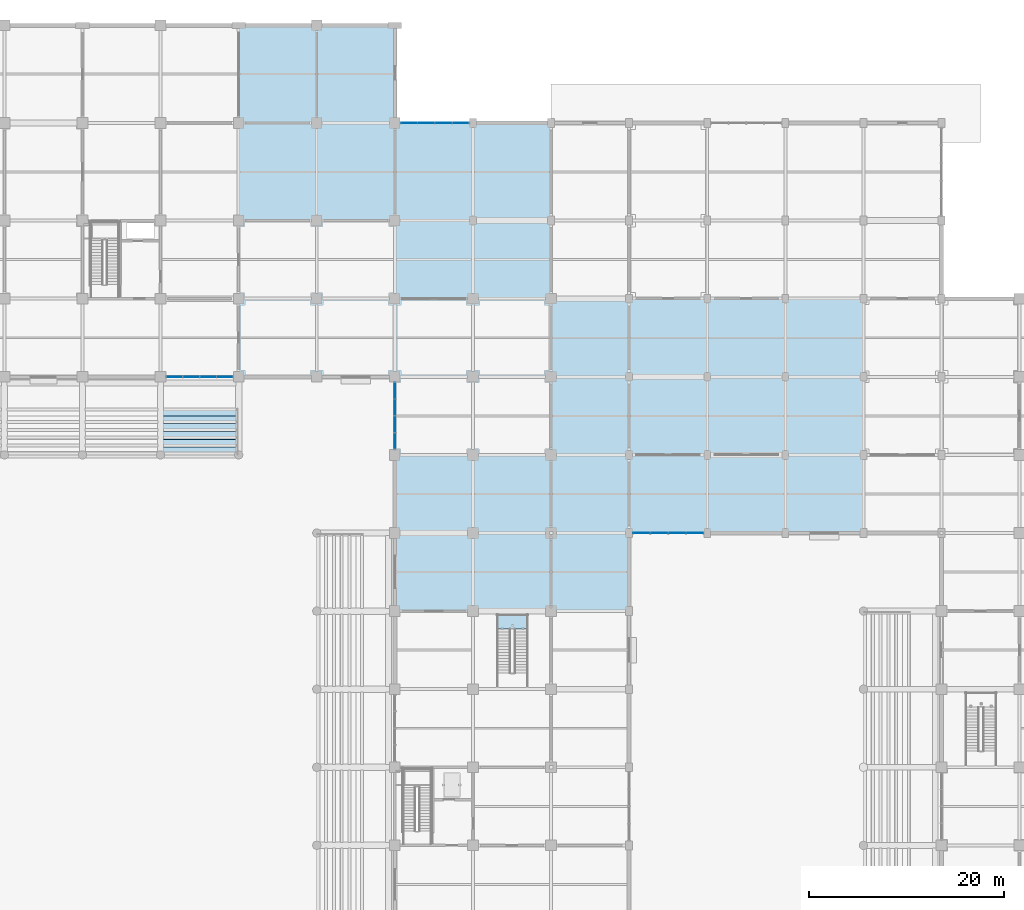
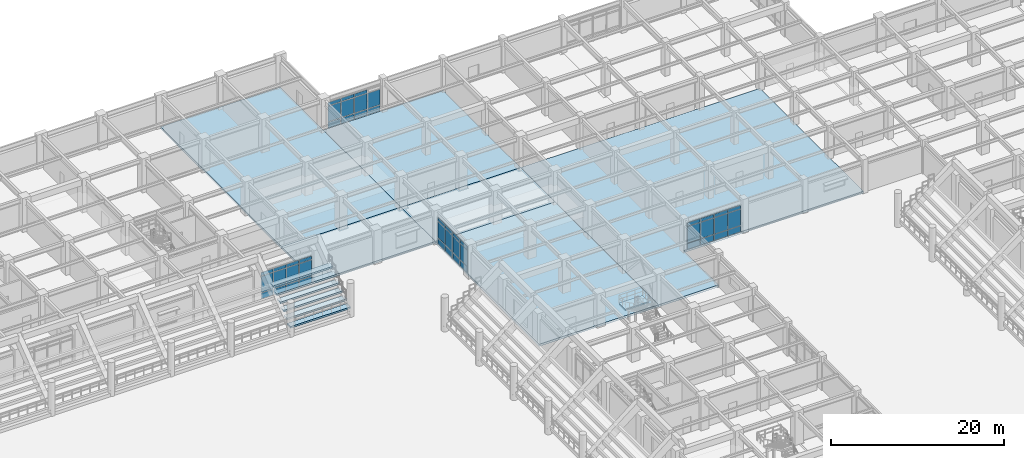
# One storey, part 70 of 125: 47 plates, 13 slabs, 5 elements without a shape of their own.
"""IFC4 building model written with IfcOpenShell, lengths in metres."""

from ifc_helpers import new_model, si_unit, direction, frame, origin, origin_2d, place, context, subcontext, project, spatial, polyline, rectangle, outline, extrude, material, layer, layer_set, type_object, element, aggregate, save


model = new_model("IFC4")

# Units and contexts
model_context = context("Model", 3, precision=1e-05, world=origin(), true_north=direction((0.0, 1.0)))
body_context = subcontext(model_context, "Body", "Model", "MODEL_VIEW")
ifc_project = project(units=[si_unit("LENGTHUNIT", "METRE"), si_unit("AREAUNIT", "SQUARE_METRE"), si_unit("VOLUMEUNIT", "CUBIC_METRE"), si_unit("PLANEANGLEUNIT", "RADIAN"), si_unit("MASSUNIT", "GRAM", prefix="KILO")], contexts=[model_context])

# Site, building, storey
site_placement = place(None, origin())
site = spatial("IfcSite", under=ifc_project, at=site_placement, CompositionType="ELEMENT")
building_placement = place(site_placement, origin())
building = spatial("IfcBuilding", under=site, at=building_placement, Name="Haebicheon Civic Stadium", CompositionType="ELEMENT")
storey_placement = place(building_placement, origin())
storey = spatial("IfcBuildingStorey", under=building, at=storey_placement, Name="L01", CompositionType="ELEMENT", Elevation=0.0)

# Curtain wall, plates
ifc_material_1 = material(Name="Anodised aluminium and laminated glass", Category="aluminium")
ifc_layer_1 = layer(ifc_material_1, 0.179931640625, Name="Anodised aluminium and laminated glass")
ifc_layer_set_1 = layer_set([ifc_layer_1], Name="Anodised aluminium and laminated glass")
curtain_wall_type_1 = type_object("IfcCurtainWallType", Name="CW-6900x3810", PredefinedType="NOTDEFINED", material=ifc_layer_set_1)
curtain_wall_1_placement = place(storey_placement, origin())
curtain_wall_1 = element("IfcCurtainWall", 1, at=curtain_wall_1_placement, inside=storey, type_object=curtain_wall_type_1, material=ifc_layer_set_1, Name="L01 unitised curtain wall 011", PredefinedType="NOTDEFINED")
ifc_material_2 = material(Name="Double low-e laminated glass", Category="glass")
ifc_layer_2 = layer(ifc_material_2, 0.028076171875, Name="Double low-e laminated glass")
ifc_layer_set_2 = layer_set([ifc_layer_2], Name="Double low-e laminated glass")
plate_type_1 = type_object("IfcPlateType", Name="CWP-GLZ-28", PredefinedType="CURTAIN_PANEL", material=ifc_layer_set_2)
plate_1_placement = place(storey_placement, frame((121.431884765625, 152.0, 0.93994140625), z_axis=(0.0, 0.0, 1.0), x_axis=(1.0, 0.0, 0.0)))
plate_1 = element("IfcPlate", 2, at=plate_1_placement, type_object=plate_type_1, material=ifc_layer_set_2, Name="CW-L01-011 vision panel 1.2", PredefinedType="CURTAIN_PANEL", context=body_context, shape_type="SweptSolid", body=[
    extrude(rectangle(XDim=1.60498046875, YDim=0.028076171875, at=origin_2d()), origin(), (0.0, 0.0, 1.0), 2.280029296875),
])
plate_2_placement = place(storey_placement, frame((123.137939453125, 152.0, 0.93994140625), z_axis=(0.0, 0.0, 1.0), x_axis=(1.0, 0.0, 0.0)))
plate_2 = element("IfcPlate", 3, at=plate_2_placement, type_object=plate_type_1, material=ifc_layer_set_2, Name="CW-L01-011 vision panel 2.2", PredefinedType="CURTAIN_PANEL", context=body_context, shape_type="SweptSolid", body=[
    extrude(rectangle(XDim=1.64501953125, YDim=0.028076171875, at=origin_2d()), origin(), (0.0, 0.0, 1.0), 2.280029296875),
])
plate_3_placement = place(storey_placement, frame((124.862060546875, 152.0, 0.93994140625), z_axis=(0.0, 0.0, 1.0), x_axis=(1.0, 0.0, 0.0)))
plate_3 = element("IfcPlate", 4, at=plate_3_placement, type_object=plate_type_1, material=ifc_layer_set_2, Name="CW-L01-011 vision panel 3.2", PredefinedType="CURTAIN_PANEL", context=body_context, shape_type="SweptSolid", body=[
    extrude(rectangle(XDim=1.64501953125, YDim=0.028076171875, at=origin_2d()), origin(), (0.0, 0.0, 1.0), 2.280029296875),
])
plate_4_placement = place(storey_placement, frame((126.568115234375, 152.0, 0.93994140625), z_axis=(0.0, 0.0, 1.0), x_axis=(1.0, 0.0, 0.0)))
plate_4 = element("IfcPlate", 5, at=plate_4_placement, type_object=plate_type_1, material=ifc_layer_set_2, Name="CW-L01-011 vision panel 4.2", PredefinedType="CURTAIN_PANEL", context=body_context, shape_type="SweptSolid", body=[
    extrude(rectangle(XDim=1.60498046875, YDim=0.028076171875, at=origin_2d()), origin(), (0.0, 0.0, 1.0), 2.280029296875),
])

curtain_wall_2_placement = place(storey_placement, origin())
curtain_wall_2 = element("IfcCurtainWall", 6, at=curtain_wall_2_placement, inside=storey, type_object=curtain_wall_type_1, material=ifc_layer_set_1, Name="L01 unitised curtain wall 016", PredefinedType="NOTDEFINED")
plate_5_placement = place(storey_placement, frame((144.0, 145.431884765625, 0.93994140625), z_axis=(0.0, 0.0, 1.0), x_axis=(0.0, 1.0, 0.0)))
plate_5 = element("IfcPlate", 7, at=plate_5_placement, type_object=plate_type_1, material=ifc_layer_set_2, Name="CW-L01-016 vision panel 1.2", PredefinedType="CURTAIN_PANEL", context=body_context, shape_type="SweptSolid", body=[
    extrude(rectangle(XDim=1.60498046875, YDim=0.028076171875, at=origin_2d()), origin(), (0.0, 0.0, 1.0), 2.280029296875),
])
plate_6_placement = place(storey_placement, frame((144.0, 147.137939453125, 0.93994140625), z_axis=(0.0, 0.0, 1.0), x_axis=(0.0, 1.0, 0.0)))
plate_6 = element("IfcPlate", 8, at=plate_6_placement, type_object=plate_type_1, material=ifc_layer_set_2, Name="CW-L01-016 vision panel 2.2", PredefinedType="CURTAIN_PANEL", context=body_context, shape_type="SweptSolid", body=[
    extrude(rectangle(XDim=1.64501953125, YDim=0.028076171875, at=origin_2d()), origin(), (0.0, 0.0, 1.0), 2.280029296875),
])
plate_7_placement = place(storey_placement, frame((144.0, 148.862060546875, 0.93994140625), z_axis=(0.0, 0.0, 1.0), x_axis=(0.0, 1.0, 0.0)))
plate_7 = element("IfcPlate", 9, at=plate_7_placement, type_object=plate_type_1, material=ifc_layer_set_2, Name="CW-L01-016 vision panel 3.2", PredefinedType="CURTAIN_PANEL", context=body_context, shape_type="SweptSolid", body=[
    extrude(rectangle(XDim=1.64501953125, YDim=0.028076171875, at=origin_2d()), origin(), (0.0, 0.0, 1.0), 2.280029296875),
])
plate_8_placement = place(storey_placement, frame((144.0, 150.568115234375, 0.93994140625), z_axis=(0.0, 0.0, 1.0), x_axis=(0.0, 1.0, 0.0)))
plate_8 = element("IfcPlate", 10, at=plate_8_placement, type_object=plate_type_1, material=ifc_layer_set_2, Name="CW-L01-016 vision panel 4.2", PredefinedType="CURTAIN_PANEL", context=body_context, shape_type="SweptSolid", body=[
    extrude(rectangle(XDim=1.60498046875, YDim=0.028076171875, at=origin_2d()), origin(), (0.0, 0.0, 1.0), 2.280029296875),
])

ifc_material_3 = material(Name="Anodised aluminium and laminated glass", Category="aluminium")
ifc_layer_3 = layer(ifc_material_3, 0.179931640625, Name="Anodised aluminium and laminated glass")
ifc_layer_set_3 = layer_set([ifc_layer_3], Name="Anodised aluminium and laminated glass")
curtain_wall_type_2 = type_object("IfcCurtainWallType", Name="CW-7100x3710", PredefinedType="NOTDEFINED", material=ifc_layer_set_3)
curtain_wall_3_placement = place(storey_placement, origin())
curtain_wall_3 = element("IfcCurtainWall", 11, at=curtain_wall_3_placement, inside=storey, type_object=curtain_wall_type_2, material=ifc_layer_set_3, Name="L01 unitised curtain wall 017", PredefinedType="NOTDEFINED")
plate_9_placement = place(storey_placement, frame((145.4580078125, 178.0, 0.93994140625), z_axis=(0.0, 0.0, 1.0), x_axis=(1.0, 0.0, 0.0)))
plate_9 = element("IfcPlate", 12, at=plate_9_placement, type_object=plate_type_1, material=ifc_layer_set_2, Name="CW-L01-017 vision panel 1.2", PredefinedType="CURTAIN_PANEL", context=body_context, shape_type="SweptSolid", body=[
    extrude(rectangle(XDim=1.655029296875, YDim=0.028076171875, at=origin_2d()), origin(), (0.0, 0.0, 1.0), 2.179931640625),
])
plate_10_placement = place(storey_placement, frame((147.2119140625, 178.0, 0.93994140625), z_axis=(0.0, 0.0, 1.0), x_axis=(1.0, 0.0, 0.0)))
plate_10 = element("IfcPlate", 13, at=plate_10_placement, type_object=plate_type_1, material=ifc_layer_set_2, Name="CW-L01-017 vision panel 2.2", PredefinedType="CURTAIN_PANEL", context=body_context, shape_type="SweptSolid", body=[
    extrude(rectangle(XDim=1.695068359375, YDim=0.028076171875, at=origin_2d()), origin(), (0.0, 0.0, 1.0), 2.179931640625),
])
plate_11_placement = place(storey_placement, frame((148.988037109375, 178.0, 0.93994140625), z_axis=(0.0, 0.0, 1.0), x_axis=(1.0, 0.0, 0.0)))
plate_11 = element("IfcPlate", 14, at=plate_11_placement, type_object=plate_type_1, material=ifc_layer_set_2, Name="CW-L01-017 vision panel 3.2", PredefinedType="CURTAIN_PANEL", context=body_context, shape_type="SweptSolid", body=[
    extrude(rectangle(XDim=1.695068359375, YDim=0.028076171875, at=origin_2d()), origin(), (0.0, 0.0, 1.0), 2.179931640625),
])
plate_12_placement = place(storey_placement, frame((150.741943359375, 178.0, 0.93994140625), z_axis=(0.0, 0.0, 1.0), x_axis=(1.0, 0.0, 0.0)))
plate_12 = element("IfcPlate", 15, at=plate_12_placement, type_object=plate_type_1, material=ifc_layer_set_2, Name="CW-L01-017 vision panel 4.2", PredefinedType="CURTAIN_PANEL", context=body_context, shape_type="SweptSolid", body=[
    extrude(rectangle(XDim=1.655029296875, YDim=0.028076171875, at=origin_2d()), origin(), (0.0, 0.0, 1.0), 2.179931640625),
])

ifc_material_4 = material(Name="Anodised aluminium and laminated glass", Category="aluminium")
ifc_layer_4 = layer(ifc_material_4, 0.179931640625, Name="Anodised aluminium and laminated glass")
ifc_layer_set_4 = layer_set([ifc_layer_4], Name="Anodised aluminium and laminated glass")
curtain_wall_type_3 = type_object("IfcCurtainWallType", Name="CW-7300x3810", PredefinedType="NOTDEFINED", material=ifc_layer_set_4)
curtain_wall_4_placement = place(storey_placement, origin())
curtain_wall_4 = element("IfcCurtainWall", 16, at=curtain_wall_4_placement, inside=storey, type_object=curtain_wall_type_3, material=ifc_layer_set_4, Name="L01 unitised curtain wall 020", PredefinedType="NOTDEFINED")
plate_13_placement = place(storey_placement, frame((169.281982421875, 136.0, 0.93994140625), z_axis=(0.0, 0.0, 1.0), x_axis=(1.0, 0.0, 0.0)))
plate_13 = element("IfcPlate", 17, at=plate_13_placement, type_object=plate_type_1, material=ifc_layer_set_2, Name="CW-L01-020 vision panel 1.2", PredefinedType="CURTAIN_PANEL", context=body_context, shape_type="SweptSolid", body=[
    extrude(rectangle(XDim=1.705078125, YDim=0.028076171875, at=origin_2d()), origin(), (0.0, 0.0, 1.0), 2.280029296875),
])
plate_14_placement = place(storey_placement, frame((171.087890625, 136.0, 0.93994140625), z_axis=(0.0, 0.0, 1.0), x_axis=(1.0, 0.0, 0.0)))
plate_14 = element("IfcPlate", 18, at=plate_14_placement, type_object=plate_type_1, material=ifc_layer_set_2, Name="CW-L01-020 vision panel 2.2", PredefinedType="CURTAIN_PANEL", context=body_context, shape_type="SweptSolid", body=[
    extrude(rectangle(XDim=1.7451171875, YDim=0.028076171875, at=origin_2d()), origin(), (0.0, 0.0, 1.0), 2.280029296875),
])
plate_15_placement = place(storey_placement, frame((172.912109375, 136.0, 0.93994140625), z_axis=(0.0, 0.0, 1.0), x_axis=(1.0, 0.0, 0.0)))
plate_15 = element("IfcPlate", 19, at=plate_15_placement, type_object=plate_type_1, material=ifc_layer_set_2, Name="CW-L01-020 vision panel 3.2", PredefinedType="CURTAIN_PANEL", context=body_context, shape_type="SweptSolid", body=[
    extrude(rectangle(XDim=1.7451171875, YDim=0.028076171875, at=origin_2d()), origin(), (0.0, 0.0, 1.0), 2.280029296875),
])
plate_16_placement = place(storey_placement, frame((174.718017578125, 136.0, 0.93994140625), z_axis=(0.0, 0.0, 1.0), x_axis=(1.0, 0.0, 0.0)))
plate_16 = element("IfcPlate", 20, at=plate_16_placement, type_object=plate_type_1, material=ifc_layer_set_2, Name="CW-L01-020 vision panel 4.2", PredefinedType="CURTAIN_PANEL", context=body_context, shape_type="SweptSolid", body=[
    extrude(rectangle(XDim=1.705078125, YDim=0.028076171875, at=origin_2d()), origin(), (0.0, 0.0, 1.0), 2.280029296875),
])

# Plate
ifc_material_5 = material(Name="Anodised aluminium 6063-T6", Category="aluminium")
ifc_layer_5 = layer(ifc_material_5, 0.0439453125, Name="Anodised aluminium 6063-T6")
ifc_layer_set_5 = layer_set([ifc_layer_5], Name="Anodised aluminium 6063-T6")
plate_type_2 = type_object("IfcPlateType", Name="CWP-SPD-44", PredefinedType="CURTAIN_PANEL", material=ifc_layer_set_5)
plate_17_placement = place(storey_placement, frame((121.431884765625, 152.0, 0.0400390625), z_axis=(0.0, 0.0, 1.0), x_axis=(1.0, 0.0, 0.0)))
plate_17 = element("IfcPlate", 21, at=plate_17_placement, type_object=plate_type_2, material=ifc_layer_set_5, Name="CW-L01-011 spandrel panel 1.1", PredefinedType="CURTAIN_PANEL", context=body_context, shape_type="SweptSolid", body=[
    extrude(rectangle(XDim=1.60498046875, YDim=0.0439453125, at=origin_2d()), origin(), (0.0, 0.0, 1.0), 0.820068359375),
])

plate_18_placement = place(storey_placement, frame((121.431884765625, 152.0, 3.2998046875), z_axis=(0.0, 0.0, 1.0), x_axis=(1.0, 0.0, 0.0)))
plate_18 = element("IfcPlate", 22, at=plate_18_placement, type_object=plate_type_2, material=ifc_layer_set_5, Name="CW-L01-011 spandrel panel 1.3", PredefinedType="CURTAIN_PANEL", context=body_context, shape_type="SweptSolid", body=[
    extrude(rectangle(XDim=1.60498046875, YDim=0.0439453125, at=origin_2d()), origin(), (0.0, 0.0, 1.0), 0.469970703125),
])

plate_19_placement = place(storey_placement, frame((123.137939453125, 152.0, 0.0400390625), z_axis=(0.0, 0.0, 1.0), x_axis=(1.0, 0.0, 0.0)))
plate_19 = element("IfcPlate", 23, at=plate_19_placement, type_object=plate_type_2, material=ifc_layer_set_5, Name="CW-L01-011 spandrel panel 2.1", PredefinedType="CURTAIN_PANEL", context=body_context, shape_type="SweptSolid", body=[
    extrude(rectangle(XDim=1.64501953125, YDim=0.0439453125, at=origin_2d()), origin(), (0.0, 0.0, 1.0), 0.820068359375),
])

plate_20_placement = place(storey_placement, frame((123.137939453125, 152.0, 3.2998046875), z_axis=(0.0, 0.0, 1.0), x_axis=(1.0, 0.0, 0.0)))
plate_20 = element("IfcPlate", 24, at=plate_20_placement, type_object=plate_type_2, material=ifc_layer_set_5, Name="CW-L01-011 spandrel panel 2.3", PredefinedType="CURTAIN_PANEL", context=body_context, shape_type="SweptSolid", body=[
    extrude(rectangle(XDim=1.64501953125, YDim=0.0439453125, at=origin_2d()), origin(), (0.0, 0.0, 1.0), 0.469970703125),
])

plate_21_placement = place(storey_placement, frame((124.862060546875, 152.0, 0.0400390625), z_axis=(0.0, 0.0, 1.0), x_axis=(1.0, 0.0, 0.0)))
plate_21 = element("IfcPlate", 25, at=plate_21_placement, type_object=plate_type_2, material=ifc_layer_set_5, Name="CW-L01-011 spandrel panel 3.1", PredefinedType="CURTAIN_PANEL", context=body_context, shape_type="SweptSolid", body=[
    extrude(rectangle(XDim=1.64501953125, YDim=0.0439453125, at=origin_2d()), origin(), (0.0, 0.0, 1.0), 0.820068359375),
])

plate_22_placement = place(storey_placement, frame((124.862060546875, 152.0, 3.2998046875), z_axis=(0.0, 0.0, 1.0), x_axis=(1.0, 0.0, 0.0)))
plate_22 = element("IfcPlate", 26, at=plate_22_placement, type_object=plate_type_2, material=ifc_layer_set_5, Name="CW-L01-011 spandrel panel 3.3", PredefinedType="CURTAIN_PANEL", context=body_context, shape_type="SweptSolid", body=[
    extrude(rectangle(XDim=1.64501953125, YDim=0.0439453125, at=origin_2d()), origin(), (0.0, 0.0, 1.0), 0.469970703125),
])

plate_23_placement = place(storey_placement, frame((126.568115234375, 152.0, 0.0400390625), z_axis=(0.0, 0.0, 1.0), x_axis=(1.0, 0.0, 0.0)))
plate_23 = element("IfcPlate", 27, at=plate_23_placement, type_object=plate_type_2, material=ifc_layer_set_5, Name="CW-L01-011 spandrel panel 4.1", PredefinedType="CURTAIN_PANEL", context=body_context, shape_type="SweptSolid", body=[
    extrude(rectangle(XDim=1.60498046875, YDim=0.0439453125, at=origin_2d()), origin(), (0.0, 0.0, 1.0), 0.820068359375),
])

plate_24_placement = place(storey_placement, frame((126.568115234375, 152.0, 3.2998046875), z_axis=(0.0, 0.0, 1.0), x_axis=(1.0, 0.0, 0.0)))
plate_24 = element("IfcPlate", 28, at=plate_24_placement, type_object=plate_type_2, material=ifc_layer_set_5, Name="CW-L01-011 spandrel panel 4.3", PredefinedType="CURTAIN_PANEL", context=body_context, shape_type="SweptSolid", body=[
    extrude(rectangle(XDim=1.60498046875, YDim=0.0439453125, at=origin_2d()), origin(), (0.0, 0.0, 1.0), 0.469970703125),
])

aggregate(curtain_wall_1, [plate_17, plate_1, plate_18, plate_19, plate_2, plate_20, plate_21, plate_3, plate_22, plate_23, plate_4, plate_24])

plate_25_placement = place(storey_placement, frame((144.0, 145.431884765625, 0.0400390625), z_axis=(0.0, 0.0, 1.0), x_axis=(0.0, 1.0, 0.0)))
plate_25 = element("IfcPlate", 29, at=plate_25_placement, type_object=plate_type_2, material=ifc_layer_set_5, Name="CW-L01-016 spandrel panel 1.1", PredefinedType="CURTAIN_PANEL", context=body_context, shape_type="SweptSolid", body=[
    extrude(rectangle(XDim=1.60498046875, YDim=0.0439453125, at=origin_2d()), origin(), (0.0, 0.0, 1.0), 0.820068359375),
])

plate_26_placement = place(storey_placement, frame((144.0, 145.431884765625, 3.2998046875), z_axis=(0.0, 0.0, 1.0), x_axis=(0.0, 1.0, 0.0)))
plate_26 = element("IfcPlate", 30, at=plate_26_placement, type_object=plate_type_2, material=ifc_layer_set_5, Name="CW-L01-016 spandrel panel 1.3", PredefinedType="CURTAIN_PANEL", context=body_context, shape_type="SweptSolid", body=[
    extrude(rectangle(XDim=1.60498046875, YDim=0.0439453125, at=origin_2d()), origin(), (0.0, 0.0, 1.0), 0.469970703125),
])

plate_27_placement = place(storey_placement, frame((144.0, 147.137939453125, 0.0400390625), z_axis=(0.0, 0.0, 1.0), x_axis=(0.0, 1.0, 0.0)))
plate_27 = element("IfcPlate", 31, at=plate_27_placement, type_object=plate_type_2, material=ifc_layer_set_5, Name="CW-L01-016 spandrel panel 2.1", PredefinedType="CURTAIN_PANEL", context=body_context, shape_type="SweptSolid", body=[
    extrude(rectangle(XDim=1.64501953125, YDim=0.0439453125, at=origin_2d()), origin(), (0.0, 0.0, 1.0), 0.820068359375),
])

plate_28_placement = place(storey_placement, frame((144.0, 147.137939453125, 3.2998046875), z_axis=(0.0, 0.0, 1.0), x_axis=(0.0, 1.0, 0.0)))
plate_28 = element("IfcPlate", 32, at=plate_28_placement, type_object=plate_type_2, material=ifc_layer_set_5, Name="CW-L01-016 spandrel panel 2.3", PredefinedType="CURTAIN_PANEL", context=body_context, shape_type="SweptSolid", body=[
    extrude(rectangle(XDim=1.64501953125, YDim=0.0439453125, at=origin_2d()), origin(), (0.0, 0.0, 1.0), 0.469970703125),
])

plate_29_placement = place(storey_placement, frame((144.0, 148.862060546875, 0.0400390625), z_axis=(0.0, 0.0, 1.0), x_axis=(0.0, 1.0, 0.0)))
plate_29 = element("IfcPlate", 33, at=plate_29_placement, type_object=plate_type_2, material=ifc_layer_set_5, Name="CW-L01-016 spandrel panel 3.1", PredefinedType="CURTAIN_PANEL", context=body_context, shape_type="SweptSolid", body=[
    extrude(rectangle(XDim=1.64501953125, YDim=0.0439453125, at=origin_2d()), origin(), (0.0, 0.0, 1.0), 0.820068359375),
])

plate_30_placement = place(storey_placement, frame((144.0, 148.862060546875, 3.2998046875), z_axis=(0.0, 0.0, 1.0), x_axis=(0.0, 1.0, 0.0)))
plate_30 = element("IfcPlate", 34, at=plate_30_placement, type_object=plate_type_2, material=ifc_layer_set_5, Name="CW-L01-016 spandrel panel 3.3", PredefinedType="CURTAIN_PANEL", context=body_context, shape_type="SweptSolid", body=[
    extrude(rectangle(XDim=1.64501953125, YDim=0.0439453125, at=origin_2d()), origin(), (0.0, 0.0, 1.0), 0.469970703125),
])

plate_31_placement = place(storey_placement, frame((144.0, 150.568115234375, 0.0400390625), z_axis=(0.0, 0.0, 1.0), x_axis=(0.0, 1.0, 0.0)))
plate_31 = element("IfcPlate", 35, at=plate_31_placement, type_object=plate_type_2, material=ifc_layer_set_5, Name="CW-L01-016 spandrel panel 4.1", PredefinedType="CURTAIN_PANEL", context=body_context, shape_type="SweptSolid", body=[
    extrude(rectangle(XDim=1.60498046875, YDim=0.0439453125, at=origin_2d()), origin(), (0.0, 0.0, 1.0), 0.820068359375),
])

plate_32_placement = place(storey_placement, frame((144.0, 150.568115234375, 3.2998046875), z_axis=(0.0, 0.0, 1.0), x_axis=(0.0, 1.0, 0.0)))
plate_32 = element("IfcPlate", 36, at=plate_32_placement, type_object=plate_type_2, material=ifc_layer_set_5, Name="CW-L01-016 spandrel panel 4.3", PredefinedType="CURTAIN_PANEL", context=body_context, shape_type="SweptSolid", body=[
    extrude(rectangle(XDim=1.60498046875, YDim=0.0439453125, at=origin_2d()), origin(), (0.0, 0.0, 1.0), 0.469970703125),
])

aggregate(curtain_wall_2, [plate_25, plate_5, plate_26, plate_27, plate_6, plate_28, plate_29, plate_7, plate_30, plate_31, plate_8, plate_32])

plate_33_placement = place(storey_placement, frame((145.4580078125, 178.0, 0.0400390625), z_axis=(0.0, 0.0, 1.0), x_axis=(1.0, 0.0, 0.0)))
plate_33 = element("IfcPlate", 37, at=plate_33_placement, type_object=plate_type_2, material=ifc_layer_set_5, Name="CW-L01-017 spandrel panel 1.1", PredefinedType="CURTAIN_PANEL", context=body_context, shape_type="SweptSolid", body=[
    extrude(rectangle(XDim=1.655029296875, YDim=0.0439453125, at=origin_2d()), origin(), (0.0, 0.0, 1.0), 0.820068359375),
])

plate_34_placement = place(storey_placement, frame((145.4580078125, 178.0, 3.2001953125), z_axis=(0.0, 0.0, 1.0), x_axis=(1.0, 0.0, 0.0)))
plate_34 = element("IfcPlate", 38, at=plate_34_placement, type_object=plate_type_2, material=ifc_layer_set_5, Name="CW-L01-017 spandrel panel 1.3", PredefinedType="CURTAIN_PANEL", context=body_context, shape_type="SweptSolid", body=[
    extrude(rectangle(XDim=1.655029296875, YDim=0.0439453125, at=origin_2d()), origin(), (0.0, 0.0, 1.0), 0.469970703125),
])

plate_35_placement = place(storey_placement, frame((147.2119140625, 178.0, 0.0400390625), z_axis=(0.0, 0.0, 1.0), x_axis=(1.0, 0.0, 0.0)))
plate_35 = element("IfcPlate", 39, at=plate_35_placement, type_object=plate_type_2, material=ifc_layer_set_5, Name="CW-L01-017 spandrel panel 2.1", PredefinedType="CURTAIN_PANEL", context=body_context, shape_type="SweptSolid", body=[
    extrude(rectangle(XDim=1.695068359375, YDim=0.0439453125, at=origin_2d()), origin(), (0.0, 0.0, 1.0), 0.820068359375),
])

plate_36_placement = place(storey_placement, frame((147.2119140625, 178.0, 3.2001953125), z_axis=(0.0, 0.0, 1.0), x_axis=(1.0, 0.0, 0.0)))
plate_36 = element("IfcPlate", 40, at=plate_36_placement, type_object=plate_type_2, material=ifc_layer_set_5, Name="CW-L01-017 spandrel panel 2.3", PredefinedType="CURTAIN_PANEL", context=body_context, shape_type="SweptSolid", body=[
    extrude(rectangle(XDim=1.695068359375, YDim=0.0439453125, at=origin_2d()), origin(), (0.0, 0.0, 1.0), 0.469970703125),
])

plate_37_placement = place(storey_placement, frame((148.988037109375, 178.0, 0.0400390625), z_axis=(0.0, 0.0, 1.0), x_axis=(1.0, 0.0, 0.0)))
plate_37 = element("IfcPlate", 41, at=plate_37_placement, type_object=plate_type_2, material=ifc_layer_set_5, Name="CW-L01-017 spandrel panel 3.1", PredefinedType="CURTAIN_PANEL", context=body_context, shape_type="SweptSolid", body=[
    extrude(rectangle(XDim=1.695068359375, YDim=0.0439453125, at=origin_2d()), origin(), (0.0, 0.0, 1.0), 0.820068359375),
])

plate_38_placement = place(storey_placement, frame((148.988037109375, 178.0, 3.2001953125), z_axis=(0.0, 0.0, 1.0), x_axis=(1.0, 0.0, 0.0)))
plate_38 = element("IfcPlate", 42, at=plate_38_placement, type_object=plate_type_2, material=ifc_layer_set_5, Name="CW-L01-017 spandrel panel 3.3", PredefinedType="CURTAIN_PANEL", context=body_context, shape_type="SweptSolid", body=[
    extrude(rectangle(XDim=1.695068359375, YDim=0.0439453125, at=origin_2d()), origin(), (0.0, 0.0, 1.0), 0.469970703125),
])

plate_39_placement = place(storey_placement, frame((150.741943359375, 178.0, 0.0400390625), z_axis=(0.0, 0.0, 1.0), x_axis=(1.0, 0.0, 0.0)))
plate_39 = element("IfcPlate", 43, at=plate_39_placement, type_object=plate_type_2, material=ifc_layer_set_5, Name="CW-L01-017 spandrel panel 4.1", PredefinedType="CURTAIN_PANEL", context=body_context, shape_type="SweptSolid", body=[
    extrude(rectangle(XDim=1.655029296875, YDim=0.0439453125, at=origin_2d()), origin(), (0.0, 0.0, 1.0), 0.820068359375),
])

aggregate(curtain_wall_3, [plate_33, plate_9, plate_34, plate_35, plate_10, plate_36, plate_37, plate_11, plate_38, plate_39, plate_12])

plate_40_placement = place(storey_placement, frame((169.281982421875, 136.0, 0.0400390625), z_axis=(0.0, 0.0, 1.0), x_axis=(1.0, 0.0, 0.0)))
plate_40 = element("IfcPlate", 44, at=plate_40_placement, type_object=plate_type_2, material=ifc_layer_set_5, Name="CW-L01-020 spandrel panel 1.1", PredefinedType="CURTAIN_PANEL", context=body_context, shape_type="SweptSolid", body=[
    extrude(rectangle(XDim=1.705078125, YDim=0.0439453125, at=origin_2d()), origin(), (0.0, 0.0, 1.0), 0.820068359375),
])

plate_41_placement = place(storey_placement, frame((169.281982421875, 136.0, 3.2998046875), z_axis=(0.0, 0.0, 1.0), x_axis=(1.0, 0.0, 0.0)))
plate_41 = element("IfcPlate", 45, at=plate_41_placement, type_object=plate_type_2, material=ifc_layer_set_5, Name="CW-L01-020 spandrel panel 1.3", PredefinedType="CURTAIN_PANEL", context=body_context, shape_type="SweptSolid", body=[
    extrude(rectangle(XDim=1.705078125, YDim=0.0439453125, at=origin_2d()), origin(), (0.0, 0.0, 1.0), 0.469970703125),
])

plate_42_placement = place(storey_placement, frame((171.087890625, 136.0, 0.0400390625), z_axis=(0.0, 0.0, 1.0), x_axis=(1.0, 0.0, 0.0)))
plate_42 = element("IfcPlate", 46, at=plate_42_placement, type_object=plate_type_2, material=ifc_layer_set_5, Name="CW-L01-020 spandrel panel 2.1", PredefinedType="CURTAIN_PANEL", context=body_context, shape_type="SweptSolid", body=[
    extrude(rectangle(XDim=1.7451171875, YDim=0.0439453125, at=origin_2d()), origin(), (0.0, 0.0, 1.0), 0.820068359375),
])

plate_43_placement = place(storey_placement, frame((171.087890625, 136.0, 3.2998046875), z_axis=(0.0, 0.0, 1.0), x_axis=(1.0, 0.0, 0.0)))
plate_43 = element("IfcPlate", 47, at=plate_43_placement, type_object=plate_type_2, material=ifc_layer_set_5, Name="CW-L01-020 spandrel panel 2.3", PredefinedType="CURTAIN_PANEL", context=body_context, shape_type="SweptSolid", body=[
    extrude(rectangle(XDim=1.7451171875, YDim=0.0439453125, at=origin_2d()), origin(), (0.0, 0.0, 1.0), 0.469970703125),
])

plate_44_placement = place(storey_placement, frame((172.912109375, 136.0, 0.0400390625), z_axis=(0.0, 0.0, 1.0), x_axis=(1.0, 0.0, 0.0)))
plate_44 = element("IfcPlate", 48, at=plate_44_placement, type_object=plate_type_2, material=ifc_layer_set_5, Name="CW-L01-020 spandrel panel 3.1", PredefinedType="CURTAIN_PANEL", context=body_context, shape_type="SweptSolid", body=[
    extrude(rectangle(XDim=1.7451171875, YDim=0.0439453125, at=origin_2d()), origin(), (0.0, 0.0, 1.0), 0.820068359375),
])

plate_45_placement = place(storey_placement, frame((172.912109375, 136.0, 3.2998046875), z_axis=(0.0, 0.0, 1.0), x_axis=(1.0, 0.0, 0.0)))
plate_45 = element("IfcPlate", 49, at=plate_45_placement, type_object=plate_type_2, material=ifc_layer_set_5, Name="CW-L01-020 spandrel panel 3.3", PredefinedType="CURTAIN_PANEL", context=body_context, shape_type="SweptSolid", body=[
    extrude(rectangle(XDim=1.7451171875, YDim=0.0439453125, at=origin_2d()), origin(), (0.0, 0.0, 1.0), 0.469970703125),
])

plate_46_placement = place(storey_placement, frame((174.718017578125, 136.0, 0.0400390625), z_axis=(0.0, 0.0, 1.0), x_axis=(1.0, 0.0, 0.0)))
plate_46 = element("IfcPlate", 50, at=plate_46_placement, type_object=plate_type_2, material=ifc_layer_set_5, Name="CW-L01-020 spandrel panel 4.1", PredefinedType="CURTAIN_PANEL", context=body_context, shape_type="SweptSolid", body=[
    extrude(rectangle(XDim=1.705078125, YDim=0.0439453125, at=origin_2d()), origin(), (0.0, 0.0, 1.0), 0.820068359375),
])

plate_47_placement = place(storey_placement, frame((174.718017578125, 136.0, 3.2998046875), z_axis=(0.0, 0.0, 1.0), x_axis=(1.0, 0.0, 0.0)))
plate_47 = element("IfcPlate", 51, at=plate_47_placement, type_object=plate_type_2, material=ifc_layer_set_5, Name="CW-L01-020 spandrel panel 4.3", PredefinedType="CURTAIN_PANEL", context=body_context, shape_type="SweptSolid", body=[
    extrude(rectangle(XDim=1.705078125, YDim=0.0439453125, at=origin_2d()), origin(), (0.0, 0.0, 1.0), 0.469970703125),
])

aggregate(curtain_wall_4, [plate_40, plate_13, plate_41, plate_42, plate_14, plate_43, plate_44, plate_15, plate_45, plate_46, plate_16, plate_47])

# Slabs
ifc_material_6 = material(Name="Concrete C40/50", Category="concrete")
ifc_layer_6 = layer(ifc_material_6, 0.300048828125, Name="Concrete C40/50")
ifc_layer_set_6 = layer_set([ifc_layer_6], Name="Concrete C40/50")
slab_type_1 = type_object("IfcSlabType", Name="SLB-FLR-300", PredefinedType="FLOOR", material=ifc_layer_set_6)
slab_1_placement = place(storey_placement, frame((0.0, 0.0, -0.300048828125)))
element("IfcSlab", 52, at=slab_1_placement, inside=storey, type_object=slab_type_1, material=ifc_layer_set_6, Name="L01 V2 structural slab 11.1", PredefinedType="FLOOR", context=body_context, shape_type="SweptSolid", body=[
    extrude(outline(polyline([(136.0, 160.0), (144.0, 160.0), (144.0, 152.0), (136.0, 152.0), (128.0, 152.0), (128.0, 160.0), (136.0, 160.0)])), origin(), (0.0, 0.0, 1.0), 0.300048828125),
])
slab_2_placement = place(storey_placement, frame((0.0, 0.0, -0.300048828125)))
element("IfcSlab", 53, at=slab_2_placement, inside=storey, type_object=slab_type_1, material=ifc_layer_set_6, Name="L01 V2 structural slab 11.2", PredefinedType="FLOOR", context=body_context, shape_type="SweptSolid", body=[
    extrude(outline(polyline([(144.0, 152.0), (152.0, 152.0), (160.0, 152.0), (160.0, 144.0), (160.0, 136.0), (160.0, 128.0), (152.0, 128.0), (144.0, 128.0), (144.0, 136.0), (144.0, 144.0), (144.0, 152.0)])), origin(), (0.0, 0.0, 1.0), 0.300048828125),
])
slab_3_placement = place(storey_placement, frame((0.0, 0.0, -0.300048828125)))
element("IfcSlab", 54, at=slab_3_placement, inside=storey, type_object=slab_type_1, material=ifc_layer_set_6, Name="L01 V2 structural slab 12.1", PredefinedType="FLOOR", context=body_context, shape_type="SweptSolid", body=[
    extrude(outline(polyline([(128.0, 168.0), (128.0, 178.0), (128.0, 188.0), (136.0, 188.0), (144.0, 188.0), (144.0, 178.0), (144.0, 168.0), (144.0, 160.0), (136.0, 160.0), (128.0, 160.0), (128.0, 168.0)])), origin(), (0.0, 0.0, 1.0), 0.300048828125),
])
slab_4_placement = place(storey_placement, frame((0.0, 0.0, -0.300048828125)))
element("IfcSlab", 55, at=slab_4_placement, inside=storey, type_object=slab_type_1, material=ifc_layer_set_6, Name="L01 V4 structural slab 2.1", PredefinedType="FLOOR", context=body_context, shape_type="SweptSolid", body=[
    extrude(outline(polyline([(144.0, 152.0), (144.0, 160.0), (152.0, 160.0), (160.0, 160.0), (160.0, 152.0), (152.0, 152.0), (144.0, 152.0)])), origin(), (0.0, 0.0, 1.0), 0.300048828125),
])
slab_5_placement = place(storey_placement, frame((0.0, 0.0, -0.300048828125)))
element("IfcSlab", 56, at=slab_5_placement, inside=storey, type_object=slab_type_1, material=ifc_layer_set_6, Name="L01 V4 structural slab 3.1", PredefinedType="FLOOR", context=body_context, shape_type="SweptSolid", body=[
    extrude(outline(polyline([(144.0, 168.0), (144.0, 178.0), (152.0, 178.0), (160.0, 178.0), (160.0, 168.0), (160.0, 160.0), (152.0, 160.0), (144.0, 160.0), (144.0, 168.0)])), origin(), (0.0, 0.0, 1.0), 0.300048828125),
])
slab_6_placement = place(storey_placement, frame((0.0, 0.0, -0.300048828125)))
element("IfcSlab", 57, at=slab_6_placement, inside=storey, type_object=slab_type_1, material=ifc_layer_set_6, Name="L01 V4 structural slab 8.1", PredefinedType="FLOOR", context=body_context, shape_type="SweptSolid", body=[
    extrude(outline(polyline([(160.0, 136.0), (160.0, 144.0), (160.0, 152.0), (160.0, 160.0), (168.0, 160.0), (176.0, 160.0), (184.0, 160.0), (192.0, 160.0), (192.0, 152.0), (192.0, 144.0), (192.0, 136.0), (184.0, 136.0), (176.0, 136.0), (168.0, 136.0), (168.0, 128.0), (160.0, 128.0), (160.0, 136.0)])), origin(), (0.0, 0.0, 1.0), 0.300048828125),
])

# Stair, slab
ifc_material_7 = material(Name="Concrete C40/50", Category="concrete")
stair_type = type_object("IfcStairType", Name="STR-DL-W140-H48", PredefinedType="HALF_TURN_STAIR", material=ifc_material_7)
stair_placement = place(storey_placement, origin())
stair = element("IfcStair", 58, at=stair_placement, inside=storey, type_object=stair_type, material=ifc_material_7, Name="Vomitory stair VM-08 (L01)", PredefinedType="HALF_TURN_STAIR")
ifc_material_8 = material(Name="Concrete C40/50", Category="concrete")
ifc_layer_7 = layer(ifc_material_8, 0.199951171875, Name="Concrete C40/50")
ifc_layer_set_7 = layer_set([ifc_layer_7], Name="Concrete C40/50")
slab_type_2 = type_object("IfcSlabType", Name="SLB-LND-200", PredefinedType="LANDING", material=ifc_layer_set_7)
slab_7_placement = place(storey_placement, frame((0.0, 0.0, 2.199951171875)))
slab_7 = element("IfcSlab", 59, at=slab_7_placement, type_object=slab_type_2, material=ifc_layer_set_7, Name="VM-08 landing 1", PredefinedType="LANDING", context=body_context, shape_type="SweptSolid", body=[
    extrude(outline(polyline([(157.639892578125, 126.14990234375), (157.639892578125, 127.64990234375), (154.4599609375, 127.64990234375), (154.4599609375, 126.14990234375), (157.639892578125, 126.14990234375)])), origin(), (0.0, 0.0, 1.0), 0.199951171875),
])
aggregate(stair, [slab_7])

# Slabs
ifc_material_9 = material(Name="Precast concrete C40/50", Category="concrete")
ifc_layer_8 = layer(ifc_material_9, 0.239990234375, Name="Precast concrete C40/50")
ifc_layer_set_8 = layer_set([ifc_layer_8], Name="Precast concrete C40/50")
slab_type_3 = type_object("IfcSlabType", Name="SLB-TIER-240", PredefinedType="USERDEFINED", material=ifc_layer_set_8)
slab_8_placement = place(storey_placement, frame((0.0, 0.0, 0.9599609375)))
element("IfcSlab", 60, at=slab_8_placement, inside=storey, type_object=slab_type_3, material=ifc_layer_set_8, Name="TIER-N-L precast seating tier bay 6 row-band 1", ObjectType="SEATING TIER", PredefinedType="USERDEFINED", context=body_context, shape_type="SweptSolid", body=[
    extrude(outline(polyline([(120.0, 144.0), (128.0, 144.0), (128.0, 144.800048828125), (120.0, 144.800048828125), (120.0, 144.0)])), origin(), (0.0, 0.0, 1.0), 0.239990234375),
])
slab_9_placement = place(storey_placement, frame((0.0, 0.0, 1.626953125)))
element("IfcSlab", 61, at=slab_9_placement, inside=storey, type_object=slab_type_3, material=ifc_layer_set_8, Name="TIER-N-L precast seating tier bay 6 row-band 2", ObjectType="SEATING TIER", PredefinedType="USERDEFINED", context=body_context, shape_type="SweptSolid", body=[
    extrude(outline(polyline([(120.0, 144.800048828125), (128.0, 144.800048828125), (128.0, 145.60009765625), (120.0, 145.60009765625), (120.0, 144.800048828125)])), origin(), (0.0, 0.0, 1.0), 0.239990234375),
])
slab_10_placement = place(storey_placement, frame((0.0, 0.0, 2.29296875)))
element("IfcSlab", 62, at=slab_10_placement, inside=storey, type_object=slab_type_3, material=ifc_layer_set_8, Name="TIER-N-L precast seating tier bay 6 row-band 3", ObjectType="SEATING TIER", PredefinedType="USERDEFINED", context=body_context, shape_type="SweptSolid", body=[
    extrude(outline(polyline([(120.0, 145.60009765625), (128.0, 145.60009765625), (128.0, 146.39990234375), (120.0, 146.39990234375), (120.0, 145.60009765625)])), origin(), (0.0, 0.0, 1.0), 0.239990234375),
])
slab_11_placement = place(storey_placement, frame((0.0, 0.0, 2.9599609375)))
element("IfcSlab", 63, at=slab_11_placement, inside=storey, type_object=slab_type_3, material=ifc_layer_set_8, Name="TIER-N-L precast seating tier bay 6 row-band 4", ObjectType="SEATING TIER", PredefinedType="USERDEFINED", context=body_context, shape_type="SweptSolid", body=[
    extrude(outline(polyline([(120.0, 146.39990234375), (128.0, 146.39990234375), (128.0, 147.199951171875), (120.0, 147.199951171875), (120.0, 146.39990234375)])), origin(), (0.0, 0.0, 1.0), 0.239990234375),
])
slab_12_placement = place(storey_placement, frame((0.0, 0.0, 3.626953125)))
element("IfcSlab", 64, at=slab_12_placement, inside=storey, type_object=slab_type_3, material=ifc_layer_set_8, Name="TIER-N-L precast seating tier bay 6 row-band 5", ObjectType="SEATING TIER", PredefinedType="USERDEFINED", context=body_context, shape_type="SweptSolid", body=[
    extrude(outline(polyline([(120.0, 147.199951171875), (128.0, 147.199951171875), (128.0, 148.0), (120.0, 148.0), (120.0, 147.199951171875)])), origin(), (0.0, 0.0, 1.0), 0.239990234375),
])
slab_13_placement = place(storey_placement, frame((0.0, 0.0, 4.29296875)))
element("IfcSlab", 65, at=slab_13_placement, inside=storey, type_object=slab_type_3, material=ifc_layer_set_8, Name="TIER-N-L precast seating tier bay 6 row-band 6", ObjectType="SEATING TIER", PredefinedType="USERDEFINED", context=body_context, shape_type="SweptSolid", body=[
    extrude(outline(polyline([(120.0, 148.0), (128.0, 148.0), (128.0, 148.800048828125), (120.0, 148.800048828125), (120.0, 148.0)])), origin(), (0.0, 0.0, 1.0), 0.239990234375),
])

save(model, "model.ifc")
